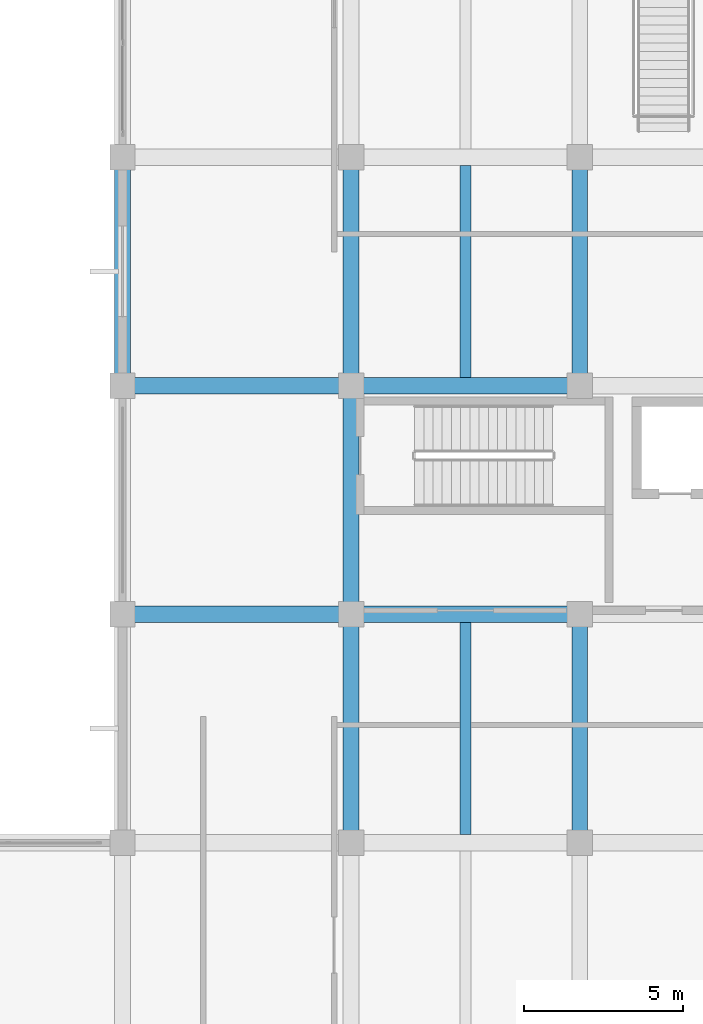
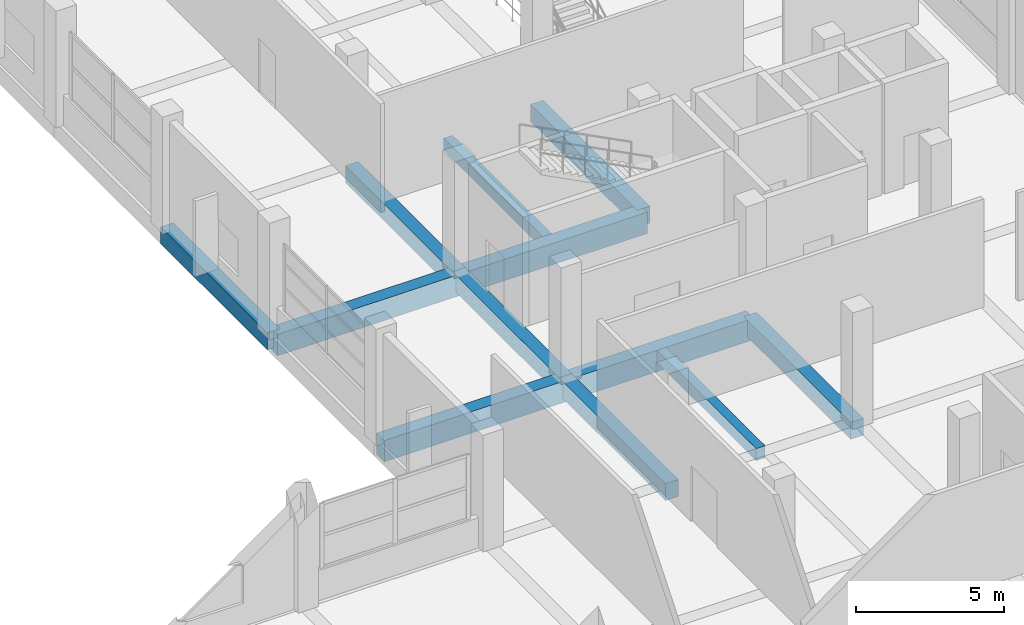
# One storey, part 45 of 140: 12 beams.
"""IFC4 building model written with IfcOpenShell, lengths in metres."""

from ifc_helpers import new_model, si_unit, direction, frame, origin, origin_2d, place, context, subcontext, project, spatial, rectangle, extrude, material, material_profile, profile_set, type_object, element, save


model = new_model("IFC4")

# Units and contexts
model_context = context("Model", 3, precision=1e-05, world=origin(), true_north=direction((0.0, 1.0)))
body_context = subcontext(model_context, "Body", "Model", "MODEL_VIEW")
ifc_project = project(units=[si_unit("LENGTHUNIT", "METRE"), si_unit("AREAUNIT", "SQUARE_METRE"), si_unit("VOLUMEUNIT", "CUBIC_METRE"), si_unit("PLANEANGLEUNIT", "RADIAN"), si_unit("MASSUNIT", "GRAM", prefix="KILO")], contexts=[model_context])

# Site, building, storey
site_placement = place(None, origin())
site = spatial("IfcSite", under=ifc_project, at=site_placement, CompositionType="ELEMENT")
building_placement = place(site_placement, origin())
building = spatial("IfcBuilding", under=site, at=building_placement, Name="Seraya Terrace Polytechnic", CompositionType="ELEMENT")
storey_placement = place(building_placement, frame((0.0, 0.0, 9.60009765625)))
storey = spatial("IfcBuildingStorey", under=building, at=storey_placement, Name="L02", CompositionType="ELEMENT", Elevation=9.60009765625)

# Beams
ifc_material = material(Name="Concrete C40/50", Category="concrete")
ifc_material_profile_1 = material_profile(ifc_material, rectangle(XDim=0.52001953125, YDim=0.8798828125, at=origin_2d()), Name="RC 520x880")
ifc_profile_set_1 = profile_set([ifc_material_profile_1], Name="Concrete C40/50")
beam_type_1 = type_object("IfcBeamType", Name="BM-04", PredefinedType="BEAM", material=ifc_profile_set_1)
beam_1_placement = place(storey_placement, frame((79.199951171875, 36.0, -0.440185546875), z_axis=(1.0, 0.0, 0.0), x_axis=(0.0, 1.0, 0.0)))
element("IfcBeam", 1, at=beam_1_placement, inside=storey, type_object=beam_type_1, Name="Beam BM-04 L02 X (79.2..86.4, 36.0)", PredefinedType="BEAM", context=body_context, shape_type="SweptSolid", body=[
    extrude(rectangle(XDim=0.52001953125, YDim=0.8798828125, at=origin_2d()), origin(), (0.0, 0.0, 1.0), 7.199951171875),
])
beam_2_placement = place(storey_placement, frame((86.39990234375, 36.0, -0.440185546875), z_axis=(1.0, 0.0, 0.0), x_axis=(0.0, 1.0, 0.0)))
element("IfcBeam", 2, at=beam_2_placement, inside=storey, type_object=beam_type_1, Name="Beam BM-04 L02 X (86.4..93.6, 36.0)", PredefinedType="BEAM", context=body_context, shape_type="SweptSolid", body=[
    extrude(rectangle(XDim=0.52001953125, YDim=0.8798828125, at=origin_2d()), origin(), (0.0, 0.0, 1.0), 7.2001953125),
])
beam_3_placement = place(storey_placement, frame((79.199951171875, 43.199951171875, -0.440185546875), z_axis=(1.0, 0.0, 0.0), x_axis=(0.0, 1.0, 0.0)))
element("IfcBeam", 3, at=beam_3_placement, inside=storey, type_object=beam_type_1, Name="Beam BM-04 L02 X (79.2..86.4, 43.2)", PredefinedType="BEAM", context=body_context, shape_type="SweptSolid", body=[
    extrude(rectangle(XDim=0.52001953125, YDim=0.8798828125, at=origin_2d()), origin(), (0.0, 0.0, 1.0), 7.199951171875),
])
beam_4_placement = place(storey_placement, frame((86.39990234375, 43.199951171875, -0.440185546875), z_axis=(1.0, 0.0, 0.0), x_axis=(0.0, 1.0, 0.0)))
element("IfcBeam", 4, at=beam_4_placement, inside=storey, type_object=beam_type_1, Name="Beam BM-04 L02 X (86.4..93.6, 43.2)", PredefinedType="BEAM", context=body_context, shape_type="SweptSolid", body=[
    extrude(rectangle(XDim=0.52001953125, YDim=0.8798828125, at=origin_2d()), origin(), (0.0, 0.0, 1.0), 7.2001953125),
])
ifc_material_profile_2 = material_profile(ifc_material, rectangle(XDim=0.5, YDim=0.699951171875, at=origin_2d()), Name="RC 500x700")
ifc_profile_set_2 = profile_set([ifc_material_profile_2], Name="Concrete C40/50")
beam_type_2 = type_object("IfcBeamType", Name="BM-07", PredefinedType="BEAM", material=ifc_profile_set_2)
for number, where, z_axis, x_axis, name in (
    (5, (79.199951171875, 43.199951171875, -0.35009765625), (0.0, 1.0, 0.0), (-1.0, 0.0, 0.0), "Beam BM-07 L02 Y (79.2, 43.2..50.4)"),
    (6, (86.39990234375, 28.800048828125, -0.35009765625), (0.0, 1.0, 0.0), (-1.0, 0.0, 0.0), "Beam BM-07 L02 Y (86.4, 28.8..36.0)"),
    (7, (86.39990234375, 36.0, -0.35009765625), (0.0, 1.0, 0.0), (-1.0, 0.0, 0.0), "Beam BM-07 L02 Y (86.4, 36.0..43.2)"),
    (8, (86.39990234375, 43.199951171875, -0.35009765625), (0.0, 1.0, 0.0), (-1.0, 0.0, 0.0), "Beam BM-07 L02 Y (86.4, 43.2..50.4)"),
    (9, (93.60009765625, 28.800048828125, -0.35009765625), (0.0, 1.0, 0.0), (-1.0, 0.0, 0.0), "Beam BM-07 L02 Y (93.6, 28.8..36.0)"),
    (10, (93.60009765625, 43.199951171875, -0.35009765625), (0.0, 1.0, 0.0), (-1.0, 0.0, 0.0), "Beam BM-07 L02 Y (93.6, 43.2..50.4)"),
):
    element("IfcBeam", number, at=place(storey_placement, frame(where, z_axis=z_axis, x_axis=x_axis)), inside=storey, type_object=beam_type_2, Name=name, PredefinedType="BEAM", context=body_context, shape_type="SweptSolid", body=[
        extrude(rectangle(XDim=0.5, YDim=0.699951171875, at=origin_2d()), origin(), (0.0, 0.0, 1.0), 7.199951171875),
    ])
ifc_material_profile_3 = material_profile(ifc_material, rectangle(XDim=0.35009765625, YDim=0.5, at=origin_2d()), Name="RC 350x500")
ifc_profile_set_3 = profile_set([ifc_material_profile_3], Name="Concrete C40/50")
beam_type_3 = type_object("IfcBeamType", Name="JS-03", PredefinedType="JOIST", material=ifc_profile_set_3)
for number, where, z_axis, x_axis, name in (
    (11, (90.0, 29.06005859375, -0.25), (0.0, 1.0, 0.0), (-1.0, 0.0, 0.0), "Secondary joist JS-03 L02"),
    (12, (90.0, 43.4599609375, -0.25), (0.0, 1.0, 0.0), (-1.0, 0.0, 0.0), "Secondary joist JS-03 L02"),
):
    element("IfcBeam", number, at=place(storey_placement, frame(where, z_axis=z_axis, x_axis=x_axis)), inside=storey, type_object=beam_type_3, Name=name, PredefinedType="JOIST", context=body_context, shape_type="SweptSolid", body=[
        extrude(rectangle(XDim=0.35009765625, YDim=0.5, at=origin_2d()), origin(), (0.0, 0.0, 1.0), 6.679931640625),
    ])

save(model, "model.ifc")
